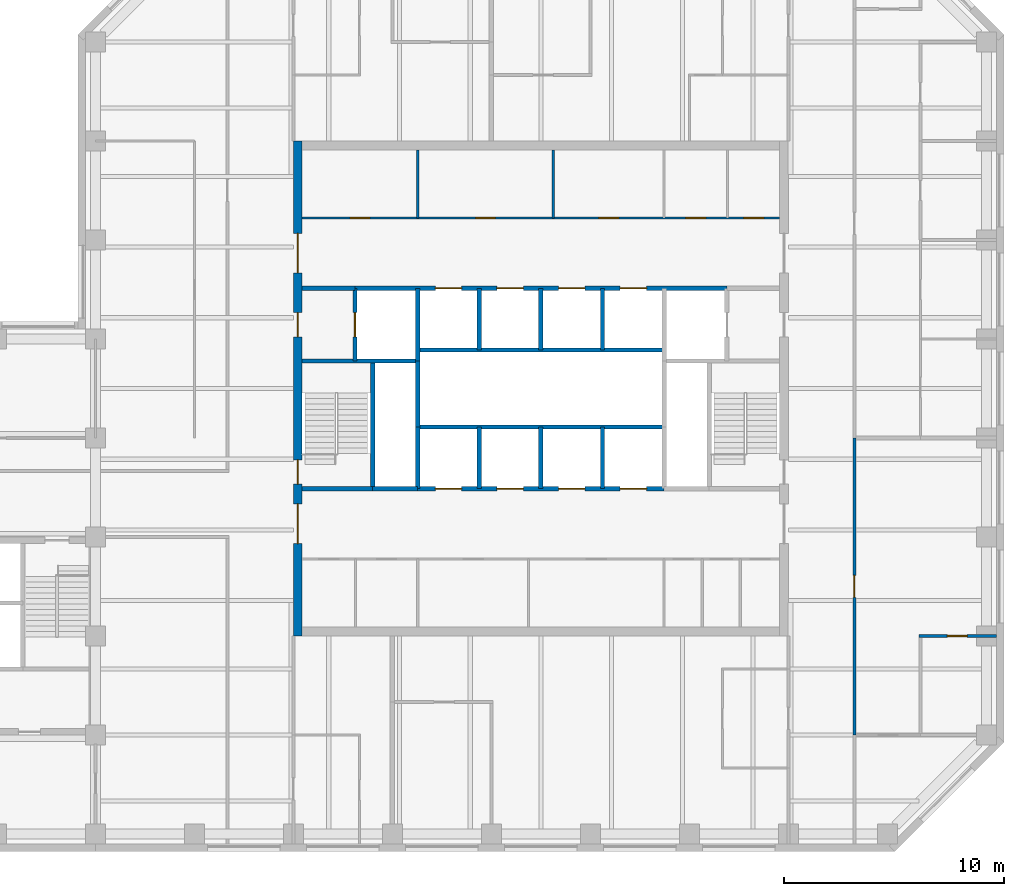
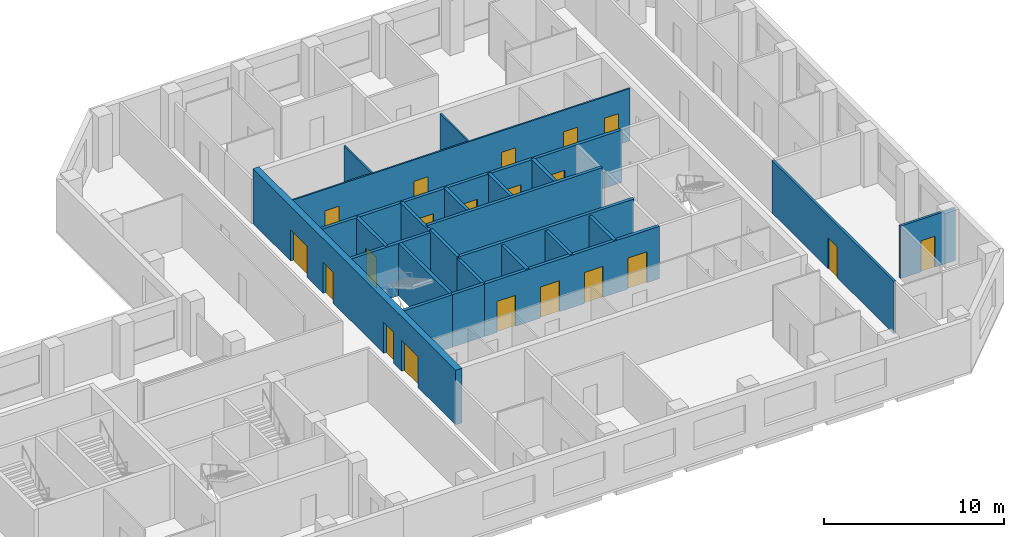
# One storey, part 5 of 9: 25 walls, 20 doors, 20 openings.
"""IFC4 building model written with IfcOpenShell, lengths in metres."""

from ifc_helpers import new_model, si_unit, direction, frame, frame_2d, origin, place, context, subcontext, project, spatial, rectangle, extrude, material, layer, layer_set, type_object, element, fill, save


model = new_model("IFC4")

# Units and contexts
model_context = context("Model", 3, precision=1e-05, world=origin(), true_north=direction((0.0, 1.0)))
body_context = subcontext(model_context, "Body", "Model", "MODEL_VIEW")
ifc_project = project(units=[si_unit("LENGTHUNIT", "METRE"), si_unit("AREAUNIT", "SQUARE_METRE"), si_unit("VOLUMEUNIT", "CUBIC_METRE"), si_unit("PLANEANGLEUNIT", "RADIAN"), si_unit("MASSUNIT", "GRAM", prefix="KILO")], contexts=[model_context])

# Site, building, storey
site_placement = place(None, origin())
site = spatial("IfcSite", under=ifc_project, at=site_placement, CompositionType="ELEMENT")
building_placement = place(site_placement, origin())
building = spatial("IfcBuilding", under=site, at=building_placement, Name="Quoin Convention Tower", CompositionType="ELEMENT")
storey_placement = place(building_placement, frame((0.0, 0.0, 223.0)))
storey = spatial("IfcBuildingStorey", under=building, at=storey_placement, Name="L58", CompositionType="ELEMENT", Elevation=223.0)

# Wall, opening, door
ifc_material_1 = material(Name="Plasterboard")
ifc_layer_1 = layer(ifc_material_1, 0.012451171875, Name="Finish")
ifc_material_2 = material(Name="Steel stud framing", Category="steel")
ifc_layer_2 = layer(ifc_material_2, 0.125, Name="Structure")
ifc_layer_3 = layer(ifc_material_1, 0.012451171875, Name="Finish")
ifc_layer_set_1 = layer_set([ifc_layer_1, ifc_layer_2, ifc_layer_3], Name="Steel stud framing")
wall_type_1 = type_object("IfcWallType", Name="Acoustic partition 150", PredefinedType="PARTITIONING", material=ifc_layer_set_1)
wall_1_placement = place(storey_placement, frame((73.425048828125, 49.5, 0.0), z_axis=(0.0, 0.0, 1.0), x_axis=(1.0, 0.0, 0.0)))
wall_1 = element("IfcWall", 1, at=wall_1_placement, inside=storey, type_object=wall_type_1, Name="pw-L58-012", PredefinedType="PARTITIONING", context=body_context, shape_type="SweptSolid", body=[
    extrude(rectangle(XDim=3.52490234375, YDim=0.14990234375, at=frame_2d((1.762451171875, 0.0))), origin(), (0.0, 0.0, 1.0), 3.550048828125),
])
opening_1_placement = place(wall_1_placement, frame((1.300048828125, 0.0, 0.0)))
opening_1 = element("IfcOpeningElement", 2, at=opening_1_placement, cuts=wall_1, Name="Opening DOH10-03", PredefinedType="OPENING", context=body_context, shape_type="SweptSolid", body=[
    extrude(rectangle(XDim=0.89990234375, YDim=2.10009765625, at=frame_2d((0.449951171875, 1.050048828125))), frame((0.0, 0.0849609375, 0.0), z_axis=(0.0, -1.0, 0.0), x_axis=(1.0, 0.0, 0.0)), (0.0, 0.0, 1.0), 0.169921875),
])
ifc_material_3 = material(Name="Steel door leaf", Category="steel")
door_type_1 = type_object("IfcDoorType", Name="Office door 900 x 2100", OperationType="SINGLE_SWING_RIGHT", PredefinedType="DOOR", material=ifc_material_3)
door_1_placement = place(opening_1_placement, origin())
door_1 = element("IfcDoor", 3, at=door_1_placement, inside=storey, type_object=door_type_1, Name="dr-L58-24", OperationType="SINGLE_SWING_RIGHT", OverallHeight=2.10009765625, OverallWidth=0.89990234375, PredefinedType="DOOR", context=body_context, shape_type="SweptSolid", body=[
    extrude(rectangle(XDim=0.89990234375, YDim=2.10009765625, at=frame_2d((0.449951171875, 1.050048828125))), frame((0.0, 0.02490234375, 0.0), z_axis=(0.0, -1.0, 0.0), x_axis=(1.0, 0.0, 0.0)), (0.0, 0.0, 1.0), 0.050048828125),
])
fill(opening_1, door_1)

# Wall, openings, doors
ifc_layer_4 = layer(ifc_material_1, 0.012451171875, Name="Finish")
ifc_layer_5 = layer(ifc_material_2, 0.074951171875, Name="Structure")
ifc_layer_6 = layer(ifc_material_1, 0.012451171875, Name="Finish")
ifc_layer_set_2 = layer_set([ifc_layer_4, ifc_layer_5, ifc_layer_6], Name="Steel stud framing")
wall_type_2 = type_object("IfcWallType", Name="Core partition wall", PredefinedType="PARTITIONING", material=ifc_layer_set_2)
wall_2_placement = place(storey_placement, frame((45.39990234375, 68.5, 0.0), z_axis=(0.0, 0.0, 1.0), x_axis=(1.0, 0.0, 0.0)))
wall_2 = element("IfcWall", 4, at=wall_2_placement, inside=storey, type_object=wall_type_2, Name="cr-C1-L58-h19000_400", PredefinedType="PARTITIONING", context=body_context, shape_type="SweptSolid", body=[
    extrude(rectangle(XDim=21.7001953125, YDim=0.10009765625, at=frame_2d((10.85009765625, 0.0))), origin(), (0.0, 0.0, 1.0), 3.550048828125),
])
opening_2_placement = place(wall_2_placement, frame((20.06884765625, 0.0, 0.0)))
opening_2 = element("IfcOpeningElement", 5, at=opening_2_placement, cuts=wall_2, Name="Opening DCV2-13", PredefinedType="OPENING", context=body_context, shape_type="SweptSolid", body=[
    extrude(rectangle(XDim=0.89990234375, YDim=2.10009765625, at=frame_2d((0.449951171875, 1.050048828125))), frame((0.0, 0.06005859375, 0.0), z_axis=(0.0, -1.0, 0.0), x_axis=(1.0, 0.0, 0.0)), (0.0, 0.0, 1.0), 0.1201171875),
])
opening_3_placement = place(wall_2_placement, frame((17.44384765625, 0.0, 0.0)))
opening_3 = element("IfcOpeningElement", 6, at=opening_3_placement, cuts=wall_2, Name="Opening DCV2-12", PredefinedType="OPENING", context=body_context, shape_type="SweptSolid", body=[
    extrude(rectangle(XDim=0.89990234375, YDim=2.10009765625, at=frame_2d((0.449951171875, 1.050048828125))), frame((0.0, 0.06005859375, 0.0), z_axis=(0.0, -1.0, 0.0), x_axis=(1.0, 0.0, 0.0)), (0.0, 0.0, 1.0), 0.1201171875),
])
opening_4_placement = place(wall_2_placement, frame((2.175048828125, 0.0, 0.0)))
opening_4 = element("IfcOpeningElement", 7, at=opening_4_placement, cuts=wall_2, Name="Opening DCV2-05", PredefinedType="OPENING", context=body_context, shape_type="SweptSolid", body=[
    extrude(rectangle(XDim=0.89990234375, YDim=2.10009765625, at=frame_2d((0.449951171875, 1.050048828125))), frame((0.0, 0.06005859375, 0.0), z_axis=(0.0, -1.0, 0.0), x_axis=(1.0, 0.0, 0.0)), (0.0, 0.0, 1.0), 0.1201171875),
])
opening_5_placement = place(wall_2_placement, frame((13.47998046875, 0.0, 0.0)))
opening_5 = element("IfcOpeningElement", 8, at=opening_5_placement, cuts=wall_2, Name="Opening DCV2-10", PredefinedType="OPENING", context=body_context, shape_type="SweptSolid", body=[
    extrude(rectangle(XDim=0.89990234375, YDim=2.10009765625, at=frame_2d((0.449951171875, 1.050048828125))), frame((0.0, 0.06005859375, 0.0), z_axis=(0.0, -1.0, 0.0), x_axis=(1.0, 0.0, 0.0)), (0.0, 0.0, 1.0), 0.1201171875),
])
opening_6_placement = place(wall_2_placement, frame((7.8798828125, 0.0, 0.0)))
opening_6 = element("IfcOpeningElement", 9, at=opening_6_placement, cuts=wall_2, Name="Opening DCV2-07", PredefinedType="OPENING", context=body_context, shape_type="SweptSolid", body=[
    extrude(rectangle(XDim=0.89990234375, YDim=2.10009765625, at=frame_2d((0.449951171875, 1.050048828125))), frame((0.0, 0.06005859375, 0.0), z_axis=(0.0, -1.0, 0.0), x_axis=(1.0, 0.0, 0.0)), (0.0, 0.0, 1.0), 0.1201171875),
])
door_type_2 = type_object("IfcDoorType", Name="Core room door 900 x 2100", OperationType="SINGLE_SWING_LEFT", PredefinedType="DOOR", material=ifc_material_3)
door_2_placement = place(opening_2_placement, origin())
door_2 = element("IfcDoor", 10, at=door_2_placement, inside=storey, type_object=door_type_2, Name="cd-C1-L58-CNE0-lobB-CD5807", OperationType="SINGLE_SWING_RIGHT", OverallHeight=2.10009765625, OverallWidth=0.89990234375, PredefinedType="DOOR", context=body_context, shape_type="SweptSolid", body=[
    extrude(rectangle(XDim=0.89990234375, YDim=2.10009765625, at=frame_2d((0.449951171875, 1.050048828125))), frame((0.0, 0.02490234375, 0.0), z_axis=(0.0, -1.0, 0.0), x_axis=(1.0, 0.0, 0.0)), (0.0, 0.0, 1.0), 0.050048828125),
])
fill(opening_2, door_2)
door_3_placement = place(opening_3_placement, origin())
door_3 = element("IfcDoor", 11, at=door_3_placement, inside=storey, type_object=door_type_2, Name="cd-C1-L58-CNE1-lobB-CD5808", OperationType="SINGLE_SWING_RIGHT", OverallHeight=2.10009765625, OverallWidth=0.89990234375, PredefinedType="DOOR", context=body_context, shape_type="SweptSolid", body=[
    extrude(rectangle(XDim=0.89990234375, YDim=2.10009765625, at=frame_2d((0.449951171875, 1.050048828125))), frame((0.0, 0.02490234375, 0.0), z_axis=(0.0, -1.0, 0.0), x_axis=(1.0, 0.0, 0.0)), (0.0, 0.0, 1.0), 0.050048828125),
])
fill(opening_3, door_3)
door_4_placement = place(opening_4_placement, origin())
door_4 = element("IfcDoor", 12, at=door_4_placement, inside=storey, type_object=door_type_2, Name="cd-C1-L58-CNW0-lobB-CD5809", OperationType="SINGLE_SWING_RIGHT", OverallHeight=2.10009765625, OverallWidth=0.89990234375, PredefinedType="DOOR", context=body_context, shape_type="SweptSolid", body=[
    extrude(rectangle(XDim=0.89990234375, YDim=2.10009765625, at=frame_2d((0.449951171875, 1.050048828125))), frame((0.0, 0.02490234375, 0.0), z_axis=(0.0, -1.0, 0.0), x_axis=(1.0, 0.0, 0.0)), (0.0, 0.0, 1.0), 0.050048828125),
])
fill(opening_4, door_4)
door_5_placement = place(opening_5_placement, origin())
door_5 = element("IfcDoor", 13, at=door_5_placement, inside=storey, type_object=door_type_2, Name="cd-C1-L58-F40-lobB-CD5817", OperationType="SINGLE_SWING_RIGHT", OverallHeight=2.10009765625, OverallWidth=0.89990234375, PredefinedType="DOOR", context=body_context, shape_type="SweptSolid", body=[
    extrude(rectangle(XDim=0.89990234375, YDim=2.10009765625, at=frame_2d((0.449951171875, 1.050048828125))), frame((0.0, 0.02490234375, 0.0), z_axis=(0.0, -1.0, 0.0), x_axis=(1.0, 0.0, 0.0)), (0.0, 0.0, 1.0), 0.050048828125),
])
fill(opening_5, door_5)
door_6_placement = place(opening_6_placement, origin())
door_6 = element("IfcDoor", 14, at=door_6_placement, inside=storey, type_object=door_type_2, Name="cd-C1-L58-F41-lobB-CD5818", OperationType="SINGLE_SWING_RIGHT", OverallHeight=2.10009765625, OverallWidth=0.89990234375, PredefinedType="DOOR", context=body_context, shape_type="SweptSolid", body=[
    extrude(rectangle(XDim=0.89990234375, YDim=2.10009765625, at=frame_2d((0.449951171875, 1.050048828125))), frame((0.0, 0.02490234375, 0.0), z_axis=(0.0, -1.0, 0.0), x_axis=(1.0, 0.0, 0.0)), (0.0, 0.0, 1.0), 0.050048828125),
])
fill(opening_6, door_6)

# Walls
for number, where, z_axis, x_axis, name in (
    (15, (50.64990234375, 68.5, 0.0), (0.0, 0.0, 1.0), (0.0, 1.0, 0.0), "cr-C1-L58-v5650_19000"),
    (16, (56.81005859375, 68.5, 0.0), (0.0, 0.0, 1.0), (0.0, 1.0, 0.0), "cr-C1-L58-v11810_19000"),
):
    element("IfcWall", number, at=place(storey_placement, frame(where, z_axis=z_axis, x_axis=x_axis)), inside=storey, type_object=wall_type_2, Name=name, PredefinedType="PARTITIONING", context=body_context, shape_type="SweptSolid", body=[
        extrude(rectangle(XDim=3.10009765625, YDim=0.10009765625, at=frame_2d((1.550048828125, 0.0))), origin(), (0.0, 0.0, 1.0), 3.550048828125),
    ])
ifc_material_4 = material(Name="Concrete C50", Category="concrete")
ifc_layer_7 = layer(ifc_material_4, 0.199951171875)
ifc_layer_set_3 = layer_set([ifc_layer_7], Name="Concrete C50")
wall_type_3 = type_object("IfcWallType", Name="Core shaft wall", PredefinedType="SOLIDWALL", material=ifc_layer_set_3)
wall_3_placement = place(storey_placement, frame((48.60009765625, 56.199951171875, 0.0), z_axis=(0.0, 0.0, 1.0), x_axis=(1.0, 0.0, 0.0)))
element("IfcWall", 17, at=wall_3_placement, inside=storey, type_object=wall_type_3, Name="cr-C1-L58-h6700_3600", PredefinedType="SOLIDWALL", context=body_context, shape_type="SweptSolid", body=[
    extrude(rectangle(XDim=2.0498046875, YDim=0.199951171875, at=frame_2d((1.02490234375, 0.0))), origin(), (0.0, 0.0, 1.0), 3.550048828125),
])
wall_4_placement = place(storey_placement, frame((45.39990234375, 56.199951171875, 0.0), z_axis=(0.0, 0.0, 1.0), x_axis=(1.0, 0.0, 0.0)))
element("IfcWall", 18, at=wall_4_placement, inside=storey, type_object=wall_type_3, Name="cr-C1-L58-h6700_400", PredefinedType="SOLIDWALL", context=body_context, shape_type="SweptSolid", body=[
    extrude(rectangle(XDim=3.2001953125, YDim=0.199951171875, at=frame_2d((1.60009765625, 0.0))), origin(), (0.0, 0.0, 1.0), 3.550048828125),
])

# Wall, openings, doors
wall_5_placement = place(storey_placement, frame((50.64990234375, 56.199951171875, 0.0), z_axis=(0.0, 0.0, 1.0), x_axis=(1.0, 0.0, 0.0)))
wall_5 = element("IfcWall", 19, at=wall_5_placement, inside=storey, type_object=wall_type_3, Name="cr-C1-L58-h6700_5650", PredefinedType="SOLIDWALL", context=body_context, shape_type="SweptSolid", body=[
    extrude(rectangle(XDim=11.2001953125, YDim=0.199951171875, at=frame_2d((5.60009765625, 0.0))), origin(), (0.0, 0.0, 1.0), 3.550048828125),
])
opening_7_placement = place(wall_5_placement, frame((0.800048828125, 0.0, 0.0)))
opening_7 = element("IfcOpeningElement", 20, at=opening_7_placement, cuts=wall_5, Name="Opening LDH1", PredefinedType="OPENING", context=body_context, shape_type="SweptSolid", body=[
    extrude(rectangle(XDim=1.199951171875, YDim=2.10009765625, at=frame_2d((0.60009765625, 1.050048828125))), frame((0.0, 0.10986328125, 0.0), z_axis=(0.0, -1.0, 0.0), x_axis=(1.0, 0.0, 0.0)), (0.0, 0.0, 1.0), 0.219970703125),
])
opening_8_placement = place(wall_5_placement, frame((3.60009765625, 0.0, 0.0)))
opening_8 = element("IfcOpeningElement", 21, at=opening_8_placement, cuts=wall_5, Name="Opening LDH2", PredefinedType="OPENING", context=body_context, shape_type="SweptSolid", body=[
    extrude(rectangle(XDim=1.199951171875, YDim=2.10009765625, at=frame_2d((0.60009765625, 1.050048828125))), frame((0.0, 0.10986328125, 0.0), z_axis=(0.0, -1.0, 0.0), x_axis=(1.0, 0.0, 0.0)), (0.0, 0.0, 1.0), 0.219970703125),
])
opening_9_placement = place(wall_5_placement, frame((6.39990234375, 0.0, 0.0)))
opening_9 = element("IfcOpeningElement", 22, at=opening_9_placement, cuts=wall_5, Name="Opening LDH3", PredefinedType="OPENING", context=body_context, shape_type="SweptSolid", body=[
    extrude(rectangle(XDim=1.199951171875, YDim=2.10009765625, at=frame_2d((0.60009765625, 1.050048828125))), frame((0.0, 0.10986328125, 0.0), z_axis=(0.0, -1.0, 0.0), x_axis=(1.0, 0.0, 0.0)), (0.0, 0.0, 1.0), 0.219970703125),
])
opening_10_placement = place(wall_5_placement, frame((9.199951171875, 0.0, 0.0)))
opening_10 = element("IfcOpeningElement", 23, at=opening_10_placement, cuts=wall_5, Name="Opening LDH4", PredefinedType="OPENING", context=body_context, shape_type="SweptSolid", body=[
    extrude(rectangle(XDim=1.199951171875, YDim=2.10009765625, at=frame_2d((0.60009765625, 1.050048828125))), frame((0.0, 0.10986328125, 0.0), z_axis=(0.0, -1.0, 0.0), x_axis=(1.0, 0.0, 0.0)), (0.0, 0.0, 1.0), 0.219970703125),
])
door_type_3 = type_object("IfcDoorType", Name="Lift landing door 1200 x 2100", OperationType="DOUBLE_DOOR_SLIDING", PredefinedType="DOOR", material=ifc_material_3)
door_7_placement = place(opening_7_placement, origin())
door_7 = element("IfcDoor", 24, at=door_7_placement, inside=storey, type_object=door_type_3, Name="cd-C1-L58-R20-lobA-LDH1", OperationType="DOUBLE_DOOR_SLIDING", OverallHeight=2.10009765625, OverallWidth=1.199951171875, PredefinedType="DOOR", context=body_context, shape_type="SweptSolid", body=[
    extrude(rectangle(XDim=1.199951171875, YDim=2.10009765625, at=frame_2d((0.60009765625, 1.050048828125))), frame((0.0, 0.02490234375, 0.0), z_axis=(0.0, -1.0, 0.0), x_axis=(1.0, 0.0, 0.0)), (0.0, 0.0, 1.0), 0.050048828125),
])
fill(opening_7, door_7)
door_8_placement = place(opening_8_placement, origin())
door_8 = element("IfcDoor", 25, at=door_8_placement, inside=storey, type_object=door_type_3, Name="cd-C1-L58-R21-lobA-LDH2", OperationType="DOUBLE_DOOR_SLIDING", OverallHeight=2.10009765625, OverallWidth=1.199951171875, PredefinedType="DOOR", context=body_context, shape_type="SweptSolid", body=[
    extrude(rectangle(XDim=1.199951171875, YDim=2.10009765625, at=frame_2d((0.60009765625, 1.050048828125))), frame((0.0, 0.02490234375, 0.0), z_axis=(0.0, -1.0, 0.0), x_axis=(1.0, 0.0, 0.0)), (0.0, 0.0, 1.0), 0.050048828125),
])
fill(opening_8, door_8)
door_9_placement = place(opening_9_placement, origin())
door_9 = element("IfcDoor", 26, at=door_9_placement, inside=storey, type_object=door_type_3, Name="cd-C1-L58-R22-lobA-LDH3", OperationType="DOUBLE_DOOR_SLIDING", OverallHeight=2.10009765625, OverallWidth=1.199951171875, PredefinedType="DOOR", context=body_context, shape_type="SweptSolid", body=[
    extrude(rectangle(XDim=1.199951171875, YDim=2.10009765625, at=frame_2d((0.60009765625, 1.050048828125))), frame((0.0, 0.02490234375, 0.0), z_axis=(0.0, -1.0, 0.0), x_axis=(1.0, 0.0, 0.0)), (0.0, 0.0, 1.0), 0.050048828125),
])
fill(opening_9, door_9)
door_10_placement = place(opening_10_placement, origin())
door_10 = element("IfcDoor", 27, at=door_10_placement, inside=storey, type_object=door_type_3, Name="cd-C1-L58-R23-lobA-LDH4", OperationType="DOUBLE_DOOR_SLIDING", OverallHeight=2.10009765625, OverallWidth=1.199951171875, PredefinedType="DOOR", context=body_context, shape_type="SweptSolid", body=[
    extrude(rectangle(XDim=1.199951171875, YDim=2.10009765625, at=frame_2d((0.60009765625, 1.050048828125))), frame((0.0, 0.02490234375, 0.0), z_axis=(0.0, -1.0, 0.0), x_axis=(1.0, 0.0, 0.0)), (0.0, 0.0, 1.0), 0.050048828125),
])
fill(opening_10, door_10)

# Walls
wall_6_placement = place(storey_placement, frame((45.39990234375, 62.0, 0.0), z_axis=(0.0, 0.0, 1.0), x_axis=(1.0, 0.0, 0.0)))
element("IfcWall", 28, at=wall_6_placement, inside=storey, type_object=wall_type_3, Name="cr-C1-L58-h12500_400", PredefinedType="SOLIDWALL", context=body_context, shape_type="SweptSolid", body=[
    extrude(rectangle(XDim=5.25, YDim=0.199951171875, at=frame_2d((2.625, 0.0))), origin(), (0.0, 0.0, 1.0), 3.550048828125),
])
wall_7_placement = place(storey_placement, frame((45.39990234375, 65.300048828125, 0.0), z_axis=(0.0, 0.0, 1.0), x_axis=(1.0, 0.0, 0.0)))
element("IfcWall", 29, at=wall_7_placement, inside=storey, type_object=wall_type_3, Name="cr-C1-L58-h15800_400", PredefinedType="SOLIDWALL", context=body_context, shape_type="SweptSolid", body=[
    extrude(rectangle(XDim=2.400146484375, YDim=0.199951171875, at=frame_2d((1.2001953125, 0.0))), origin(), (0.0, 0.0, 1.0), 3.550048828125),
])

# Wall, openings, doors
wall_8_placement = place(storey_placement, frame((47.800048828125, 65.300048828125, 0.0), z_axis=(0.0, 0.0, 1.0), x_axis=(1.0, 0.0, 0.0)))
wall_8 = element("IfcWall", 30, at=wall_8_placement, inside=storey, type_object=wall_type_3, Name="cr-C1-L58-h15800_2800", PredefinedType="SOLIDWALL", context=body_context, shape_type="SweptSolid", body=[
    extrude(rectangle(XDim=16.89990234375, YDim=0.199951171875, at=frame_2d((8.449951171875, 0.0))), origin(), (0.0, 0.0, 1.0), 3.550048828125),
])
opening_11_placement = place(wall_8_placement, frame((3.64990234375, 0.0, 0.0)))
opening_11 = element("IfcOpeningElement", 31, at=opening_11_placement, cuts=wall_8, Name="Opening LDH5", PredefinedType="OPENING", context=body_context, shape_type="SweptSolid", body=[
    extrude(rectangle(XDim=1.199951171875, YDim=2.10009765625, at=frame_2d((0.60009765625, 1.050048828125))), frame((0.0, 0.10986328125, 0.0), z_axis=(0.0, -1.0, 0.0), x_axis=(1.0, 0.0, 0.0)), (0.0, 0.0, 1.0), 0.219970703125),
])
opening_12_placement = place(wall_8_placement, frame((6.449951171875, 0.0, 0.0)))
opening_12 = element("IfcOpeningElement", 32, at=opening_12_placement, cuts=wall_8, Name="Opening LDH6", PredefinedType="OPENING", context=body_context, shape_type="SweptSolid", body=[
    extrude(rectangle(XDim=1.199951171875, YDim=2.10009765625, at=frame_2d((0.60009765625, 1.050048828125))), frame((0.0, 0.10986328125, 0.0), z_axis=(0.0, -1.0, 0.0), x_axis=(1.0, 0.0, 0.0)), (0.0, 0.0, 1.0), 0.219970703125),
])
opening_13_placement = place(wall_8_placement, frame((9.25, 0.0, 0.0)))
opening_13 = element("IfcOpeningElement", 33, at=opening_13_placement, cuts=wall_8, Name="Opening LDH7", PredefinedType="OPENING", context=body_context, shape_type="SweptSolid", body=[
    extrude(rectangle(XDim=1.199951171875, YDim=2.10009765625, at=frame_2d((0.60009765625, 1.050048828125))), frame((0.0, 0.10986328125, 0.0), z_axis=(0.0, -1.0, 0.0), x_axis=(1.0, 0.0, 0.0)), (0.0, 0.0, 1.0), 0.219970703125),
])
opening_14_placement = place(wall_8_placement, frame((12.050048828125, 0.0, 0.0)))
opening_14 = element("IfcOpeningElement", 34, at=opening_14_placement, cuts=wall_8, Name="Opening LDH8", PredefinedType="OPENING", context=body_context, shape_type="SweptSolid", body=[
    extrude(rectangle(XDim=1.199951171875, YDim=2.10009765625, at=frame_2d((0.60009765625, 1.050048828125))), frame((0.0, 0.10986328125, 0.0), z_axis=(0.0, -1.0, 0.0), x_axis=(1.0, 0.0, 0.0)), (0.0, 0.0, 1.0), 0.219970703125),
])
door_11_placement = place(opening_11_placement, origin())
door_11 = element("IfcDoor", 35, at=door_11_placement, inside=storey, type_object=door_type_3, Name="cd-C1-L58-R30-lobB-LDH5", OperationType="DOUBLE_DOOR_SLIDING", OverallHeight=2.10009765625, OverallWidth=1.199951171875, PredefinedType="DOOR", context=body_context, shape_type="SweptSolid", body=[
    extrude(rectangle(XDim=1.199951171875, YDim=2.10009765625, at=frame_2d((0.60009765625, 1.050048828125))), frame((0.0, 0.02490234375, 0.0), z_axis=(0.0, -1.0, 0.0), x_axis=(1.0, 0.0, 0.0)), (0.0, 0.0, 1.0), 0.050048828125),
])
fill(opening_11, door_11)
door_12_placement = place(opening_12_placement, origin())
door_12 = element("IfcDoor", 36, at=door_12_placement, inside=storey, type_object=door_type_3, Name="cd-C1-L58-R31-lobB-LDH6", OperationType="DOUBLE_DOOR_SLIDING", OverallHeight=2.10009765625, OverallWidth=1.199951171875, PredefinedType="DOOR", context=body_context, shape_type="SweptSolid", body=[
    extrude(rectangle(XDim=1.199951171875, YDim=2.10009765625, at=frame_2d((0.60009765625, 1.050048828125))), frame((0.0, 0.02490234375, 0.0), z_axis=(0.0, -1.0, 0.0), x_axis=(1.0, 0.0, 0.0)), (0.0, 0.0, 1.0), 0.050048828125),
])
fill(opening_12, door_12)
door_13_placement = place(opening_13_placement, origin())
door_13 = element("IfcDoor", 37, at=door_13_placement, inside=storey, type_object=door_type_3, Name="cd-C1-L58-R32-lobB-LDH7", OperationType="DOUBLE_DOOR_SLIDING", OverallHeight=2.10009765625, OverallWidth=1.199951171875, PredefinedType="DOOR", context=body_context, shape_type="SweptSolid", body=[
    extrude(rectangle(XDim=1.199951171875, YDim=2.10009765625, at=frame_2d((0.60009765625, 1.050048828125))), frame((0.0, 0.02490234375, 0.0), z_axis=(0.0, -1.0, 0.0), x_axis=(1.0, 0.0, 0.0)), (0.0, 0.0, 1.0), 0.050048828125),
])
fill(opening_13, door_13)
door_14_placement = place(opening_14_placement, origin())
door_14 = element("IfcDoor", 38, at=door_14_placement, inside=storey, type_object=door_type_3, Name="cd-C1-L58-R33-lobB-LDH8", OperationType="DOUBLE_DOOR_SLIDING", OverallHeight=2.10009765625, OverallWidth=1.199951171875, PredefinedType="DOOR", context=body_context, shape_type="SweptSolid", body=[
    extrude(rectangle(XDim=1.199951171875, YDim=2.10009765625, at=frame_2d((0.60009765625, 1.050048828125))), frame((0.0, 0.02490234375, 0.0), z_axis=(0.0, -1.0, 0.0), x_axis=(1.0, 0.0, 0.0)), (0.0, 0.0, 1.0), 0.050048828125),
])
fill(opening_14, door_14)

# Wall, opening, door
wall_9_placement = place(storey_placement, frame((47.800048828125, 62.0, 0.0), z_axis=(0.0, 0.0, 1.0), x_axis=(0.0, 1.0, 0.0)))
wall_9 = element("IfcWall", 39, at=wall_9_placement, inside=storey, type_object=wall_type_3, Name="cr-C1-L58-v2800_12500", PredefinedType="SOLIDWALL", context=body_context, shape_type="SweptSolid", body=[
    extrude(rectangle(XDim=3.300048828125, YDim=0.199951171875, at=frame_2d((1.64990234375, 0.0))), origin(), (0.0, 0.0, 1.0), 3.550048828125),
])
opening_15_placement = place(wall_9_placement, frame((1.10009765625, 0.0, 0.0)))
opening_15 = element("IfcOpeningElement", 40, at=opening_15_placement, cuts=wall_9, Name="Opening LDFL1", PredefinedType="OPENING", context=body_context, shape_type="SweptSolid", body=[
    extrude(rectangle(XDim=1.10009765625, YDim=2.10009765625, at=frame_2d((0.550048828125, 1.050048828125))), frame((0.0, 0.10986328125, 0.0), z_axis=(0.0, -1.0, 0.0), x_axis=(1.0, 0.0, 0.0)), (0.0, 0.0, 1.0), 0.219970703125),
])
door_type_4 = type_object("IfcDoorType", Name="Lift landing door 1100 x 2100", OperationType="DOUBLE_DOOR_SLIDING", PredefinedType="DOOR", material=ifc_material_3)
door_15_placement = place(opening_15_placement, origin())
door_15 = element("IfcDoor", 41, at=door_15_placement, inside=storey, type_object=door_type_4, Name="cd-C1-L58-FLW-FFW-LDFL1", OperationType="DOUBLE_DOOR_SLIDING", OverallHeight=2.10009765625, OverallWidth=1.10009765625, PredefinedType="DOOR", context=body_context, shape_type="SweptSolid", body=[
    extrude(rectangle(XDim=1.10009765625, YDim=2.10009765625, at=frame_2d((0.550048828125, 1.050048828125))), frame((0.0, 0.02490234375, 0.0), z_axis=(0.0, -1.0, 0.0), x_axis=(1.0, 0.0, 0.0)), (0.0, 0.0, 1.0), 0.050048828125),
])
fill(opening_15, door_15)

# Walls
wall_10_placement = place(storey_placement, frame((48.60009765625, 56.199951171875, 0.0), z_axis=(0.0, 0.0, 1.0), x_axis=(0.0, 1.0, 0.0)))
element("IfcWall", 42, at=wall_10_placement, inside=storey, type_object=wall_type_3, Name="cr-C1-L58-v3600_6700", PredefinedType="SOLIDWALL", context=body_context, shape_type="SweptSolid", body=[
    extrude(rectangle(XDim=5.800048828125, YDim=0.199951171875, at=frame_2d((2.89990234375, 0.0))), origin(), (0.0, 0.0, 1.0), 3.550048828125),
])
wall_11_placement = place(storey_placement, frame((50.64990234375, 56.199951171875, 0.0), z_axis=(0.0, 0.0, 1.0), x_axis=(0.0, 1.0, 0.0)))
element("IfcWall", 43, at=wall_11_placement, inside=storey, type_object=wall_type_3, Name="cr-C1-L58-v5650_6700", PredefinedType="SOLIDWALL", context=body_context, shape_type="SweptSolid", body=[
    extrude(rectangle(XDim=2.800048828125, YDim=0.199951171875, at=frame_2d((1.39990234375, 0.0))), origin(), (0.0, 0.0, 1.0), 3.550048828125),
])
wall_12_placement = place(storey_placement, frame((50.64990234375, 62.0, 0.0), z_axis=(0.0, 0.0, 1.0), x_axis=(0.0, 1.0, 0.0)))
element("IfcWall", 44, at=wall_12_placement, inside=storey, type_object=wall_type_3, Name="cr-C1-L58-v5650_12500", PredefinedType="SOLIDWALL", context=body_context, shape_type="SweptSolid", body=[
    extrude(rectangle(XDim=3.300048828125, YDim=0.199951171875, at=frame_2d((1.64990234375, 0.0))), origin(), (0.0, 0.0, 1.0), 3.550048828125),
])
for number, where, z_axis, x_axis, name in (
    (45, (53.449951171875, 56.199951171875, 0.0), (0.0, 0.0, 1.0), (0.0, 1.0, 0.0), "cr-C1-L58-v8450_6700"),
    (46, (53.449951171875, 62.5, 0.0), (0.0, 0.0, 1.0), (0.0, 1.0, 0.0), "cr-C1-L58-v8450_13000"),
    (47, (56.25, 56.199951171875, 0.0), (0.0, 0.0, 1.0), (0.0, 1.0, 0.0), "cr-C1-L58-v11250_6700"),
    (48, (56.25, 62.5, 0.0), (0.0, 0.0, 1.0), (0.0, 1.0, 0.0), "cr-C1-L58-v11250_13000"),
    (49, (59.050048828125, 56.199951171875, 0.0), (0.0, 0.0, 1.0), (0.0, 1.0, 0.0), "cr-C1-L58-v14050_6700"),
    (50, (59.050048828125, 62.5, 0.0), (0.0, 0.0, 1.0), (0.0, 1.0, 0.0), "cr-C1-L58-v14050_13000"),
):
    element("IfcWall", number, at=place(storey_placement, frame(where, z_axis=z_axis, x_axis=x_axis)), inside=storey, type_object=wall_type_3, Name=name, PredefinedType="SOLIDWALL", context=body_context, shape_type="SweptSolid", body=[
        extrude(rectangle(XDim=2.800048828125, YDim=0.199951171875, at=frame_2d((1.39990234375, 0.0))), origin(), (0.0, 0.0, 1.0), 3.550048828125),
    ])
ifc_layer_8 = layer(ifc_material_4, 0.199951171875)
ifc_layer_set_4 = layer_set([ifc_layer_8], Name="Concrete C50")
wall_type_4 = type_object("IfcWallType", Name="Core shaft wall to the floor level over", PredefinedType="SOLIDWALL", material=ifc_layer_set_4)
for number, where, z_axis, x_axis, name in (
    (51, (50.64990234375, 59.0, 0.0), (0.0, 0.0, 1.0), (1.0, 0.0, 0.0), "cr-C1-L58-h9500_5650"),
    (52, (50.64990234375, 62.5, 0.0), (0.0, 0.0, 1.0), (1.0, 0.0, 0.0), "cr-C1-L58-h13000_5650"),
):
    element("IfcWall", number, at=place(storey_placement, frame(where, z_axis=z_axis, x_axis=x_axis)), inside=storey, type_object=wall_type_4, Name=name, PredefinedType="SOLIDWALL", context=body_context, shape_type="SweptSolid", body=[
        extrude(rectangle(XDim=11.2001953125, YDim=0.199951171875, at=frame_2d((5.60009765625, 0.0))), origin(), (0.0, 0.0, 1.0), 3.699951171875),
    ])
wall_13_placement = place(storey_placement, frame((50.64990234375, 59.0, 0.0), z_axis=(0.0, 0.0, 1.0), x_axis=(0.0, 1.0, 0.0)))
element("IfcWall", 53, at=wall_13_placement, inside=storey, type_object=wall_type_4, Name="cr-C1-L58-v5650_9500", PredefinedType="SOLIDWALL", context=body_context, shape_type="SweptSolid", body=[
    extrude(rectangle(XDim=3.0, YDim=0.199951171875, at=frame_2d((1.5, 0.0))), origin(), (0.0, 0.0, 1.0), 3.699951171875),
])

# Wall, opening, door
ifc_layer_9 = layer(ifc_material_1, 0.012451171875, Name="Finish")
ifc_layer_10 = layer(ifc_material_2, 0.125, Name="Structure")
ifc_layer_11 = layer(ifc_material_1, 0.012451171875, Name="Finish")
ifc_layer_set_5 = layer_set([ifc_layer_9, ifc_layer_10, ifc_layer_11], Name="Steel stud framing")
wall_type_5 = type_object("IfcWallType", Name="Corridor wall 150", PredefinedType="PARTITIONING", material=ifc_layer_set_5)
wall_14_placement = place(storey_placement, frame((70.5, 45.0, 0.0), z_axis=(0.0, 0.0, 1.0), x_axis=(0.0, 1.0, 0.0)))
wall_14 = element("IfcWall", 54, at=wall_14_placement, inside=storey, type_object=wall_type_5, Name="pw-L58-048", PredefinedType="PARTITIONING", context=body_context, shape_type="SweptSolid", body=[
    extrude(rectangle(XDim=13.5, YDim=0.14990234375, at=frame_2d((6.75, 0.0))), origin(), (0.0, 0.0, 1.0), 3.550048828125),
])
opening_16_placement = place(wall_14_placement, frame((6.25, 0.0, 0.0)))
opening_16 = element("IfcOpeningElement", 55, at=opening_16_placement, cuts=wall_14, Name="Opening DOH10-13", PredefinedType="OPENING", context=body_context, shape_type="SweptSolid", body=[
    extrude(rectangle(XDim=1.0, YDim=2.10009765625, at=frame_2d((0.5, 1.050048828125))), frame((0.0, 0.0849609375, 0.0), z_axis=(0.0, -1.0, 0.0), x_axis=(1.0, 0.0, 0.0)), (0.0, 0.0, 1.0), 0.169921875),
])
door_type_5 = type_object("IfcDoorType", Name="Tenancy entrance door 1000 x 2100", OperationType="DOUBLE_DOOR_SINGLE_SWING", PredefinedType="DOOR", material=ifc_material_3)
door_16_placement = place(opening_16_placement, frame((1.0, 0.0, 0.0), z_axis=(0.0, 0.0, 1.0), x_axis=(-1.0, 0.0, 0.0)))
door_16 = element("IfcDoor", 56, at=door_16_placement, inside=storey, type_object=door_type_5, Name="dr-L58-22", OperationType="DOUBLE_DOOR_SINGLE_SWING", OverallHeight=2.10009765625, OverallWidth=1.0, PredefinedType="DOOR", context=body_context, shape_type="SweptSolid", body=[
    extrude(rectangle(XDim=1.0, YDim=2.10009765625, at=frame_2d((0.5, 1.050048828125))), frame((0.0, 0.02490234375, 0.0), z_axis=(0.0, -1.0, 0.0), x_axis=(1.0, 0.0, 0.0)), (0.0, 0.0, 1.0), 0.050048828125),
])
fill(opening_16, door_16)

# Wall, openings, doors
ifc_layer_12 = layer(ifc_material_4, 0.39990234375)
ifc_layer_set_6 = layer_set([ifc_layer_12], Name="Concrete C50")
wall_type_6 = type_object("IfcWallType", Name="RC CORE WALL 400 C50", PredefinedType="SHEAR", material=ifc_layer_set_6)
wall_15_placement = place(storey_placement, frame((45.199951171875, 49.5, 0.0), z_axis=(0.0, 0.0, 1.0), x_axis=(0.0, 1.0, 0.0)))
wall_15 = element("IfcWall", 57, at=wall_15_placement, inside=storey, type_object=wall_type_6, Name="cwl-C1-L58-W", PredefinedType="SHEAR", context=body_context, shape_type="SweptSolid", body=[
    extrude(rectangle(XDim=22.5, YDim=0.39990234375, at=frame_2d((11.25, 0.0))), origin(), (0.0, 0.0, 1.0), 3.699951171875),
])
opening_17_placement = place(wall_15_placement, frame((4.199951171875, 0.0, 0.0)))
opening_17 = element("IfcOpeningElement", 58, at=opening_17_placement, cuts=wall_15, Name="Opening DCV2-40", PredefinedType="OPENING", context=body_context, shape_type="SweptSolid", body=[
    extrude(rectangle(XDim=1.800048828125, YDim=2.10009765625, at=frame_2d((0.89990234375, 1.050048828125))), frame((0.0, 0.2099609375, 0.0), z_axis=(0.0, -1.0, 0.0), x_axis=(1.0, 0.0, 0.0)), (0.0, 0.0, 1.0), 0.419921875),
])
opening_18_placement = place(wall_15_placement, frame((6.89990234375, 0.0, 0.0)))
opening_18 = element("IfcOpeningElement", 59, at=opening_18_placement, cuts=wall_15, Name="Opening SD1", PredefinedType="OPENING", context=body_context, shape_type="SweptSolid", body=[
    extrude(rectangle(XDim=1.10009765625, YDim=2.10009765625, at=frame_2d((0.550048828125, 1.050048828125))), frame((0.0, 0.2099609375, 0.0), z_axis=(0.0, -1.0, 0.0), x_axis=(1.0, 0.0, 0.0)), (0.0, 0.0, 1.0), 0.419921875),
])
opening_19_placement = place(wall_15_placement, frame((13.60009765625, 0.0, 0.0)))
opening_19 = element("IfcOpeningElement", 60, at=opening_19_placement, cuts=wall_15, Name="Opening DCV2-39", PredefinedType="OPENING", context=body_context, shape_type="SweptSolid", body=[
    extrude(rectangle(XDim=1.10009765625, YDim=2.10009765625, at=frame_2d((0.550048828125, 1.050048828125))), frame((0.0, 0.2099609375, 0.0), z_axis=(0.0, -1.0, 0.0), x_axis=(1.0, 0.0, 0.0)), (0.0, 0.0, 1.0), 0.419921875),
])
opening_20_placement = place(wall_15_placement, frame((16.5, 0.0, 0.0)))
opening_20 = element("IfcOpeningElement", 61, at=opening_20_placement, cuts=wall_15, Name="Opening DCV2-40", PredefinedType="OPENING", context=body_context, shape_type="SweptSolid", body=[
    extrude(rectangle(XDim=1.800048828125, YDim=2.10009765625, at=frame_2d((0.89990234375, 1.050048828125))), frame((0.0, 0.2099609375, 0.0), z_axis=(0.0, -1.0, 0.0), x_axis=(1.0, 0.0, 0.0)), (0.0, 0.0, 1.0), 0.419921875),
])
door_type_6 = type_object("IfcDoorType", Name="Fire-fighting lobby door 1100 x 2100", OperationType="SINGLE_SWING_LEFT", PredefinedType="DOOR", material=ifc_material_3)
door_17_placement = place(opening_19_placement, frame((1.10009765625, 0.0, 0.0), z_axis=(0.0, 0.0, 1.0), x_axis=(-1.0, 0.0, 0.0)))
door_17 = element("IfcDoor", 62, at=door_17_placement, inside=storey, type_object=door_type_6, Name="cd-C1-L58-FFW-W", OperationType="SINGLE_SWING_LEFT", OverallHeight=2.10009765625, OverallWidth=1.10009765625, PredefinedType="DOOR", context=body_context, shape_type="SweptSolid", body=[
    extrude(rectangle(XDim=1.10009765625, YDim=2.10009765625, at=frame_2d((0.550048828125, 1.050048828125))), frame((0.0, 0.02490234375, 0.0), z_axis=(0.0, -1.0, 0.0), x_axis=(1.0, 0.0, 0.0)), (0.0, 0.0, 1.0), 0.050048828125),
])
fill(opening_19, door_17)
door_type_7 = type_object("IfcDoorType", Name="Lift lobby door 1800 x 2100", OperationType="SINGLE_SWING_LEFT", PredefinedType="DOOR", material=ifc_material_3)
door_18_placement = place(opening_17_placement, frame((1.800048828125, 0.0, 0.0), z_axis=(0.0, 0.0, 1.0), x_axis=(-1.0, 0.0, 0.0)))
door_18 = element("IfcDoor", 63, at=door_18_placement, inside=storey, type_object=door_type_7, Name="cd-C1-L58-lobA-W", OperationType="SINGLE_SWING_LEFT", OverallHeight=2.10009765625, OverallWidth=1.800048828125, PredefinedType="DOOR", context=body_context, shape_type="SweptSolid", body=[
    extrude(rectangle(XDim=1.800048828125, YDim=2.10009765625, at=frame_2d((0.89990234375, 1.050048828125))), frame((0.0, 0.02490234375, 0.0), z_axis=(0.0, -1.0, 0.0), x_axis=(1.0, 0.0, 0.0)), (0.0, 0.0, 1.0), 0.050048828125),
])
fill(opening_17, door_18)
door_19_placement = place(opening_20_placement, frame((1.800048828125, 0.0, 0.0), z_axis=(0.0, 0.0, 1.0), x_axis=(-1.0, 0.0, 0.0)))
door_19 = element("IfcDoor", 64, at=door_19_placement, inside=storey, type_object=door_type_7, Name="cd-C1-L58-lobB-W", OperationType="SINGLE_SWING_LEFT", OverallHeight=2.10009765625, OverallWidth=1.800048828125, PredefinedType="DOOR", context=body_context, shape_type="SweptSolid", body=[
    extrude(rectangle(XDim=1.800048828125, YDim=2.10009765625, at=frame_2d((0.89990234375, 1.050048828125))), frame((0.0, 0.02490234375, 0.0), z_axis=(0.0, -1.0, 0.0), x_axis=(1.0, 0.0, 0.0)), (0.0, 0.0, 1.0), 0.050048828125),
])
fill(opening_20, door_19)
door_type_8 = type_object("IfcDoorType", Name="Stair door 1100 x 2100", OperationType="SINGLE_SWING_RIGHT", PredefinedType="DOOR", material=ifc_material_3)
door_20_placement = place(opening_18_placement, frame((1.10009765625, 0.0, 0.0), z_axis=(0.0, 0.0, 1.0), x_axis=(-1.0, 0.0, 0.0)))
door_20 = element("IfcDoor", 65, at=door_20_placement, inside=storey, type_object=door_type_8, Name="cd-C1-L58-STW-W", OperationType="SINGLE_SWING_RIGHT", OverallHeight=2.10009765625, OverallWidth=1.10009765625, PredefinedType="DOOR", context=body_context, shape_type="SweptSolid", body=[
    extrude(rectangle(XDim=1.10009765625, YDim=2.10009765625, at=frame_2d((0.550048828125, 1.050048828125))), frame((0.0, 0.02490234375, 0.0), z_axis=(0.0, -1.0, 0.0), x_axis=(1.0, 0.0, 0.0)), (0.0, 0.0, 1.0), 0.050048828125),
])
fill(opening_18, door_20)

save(model, "model.ifc")
